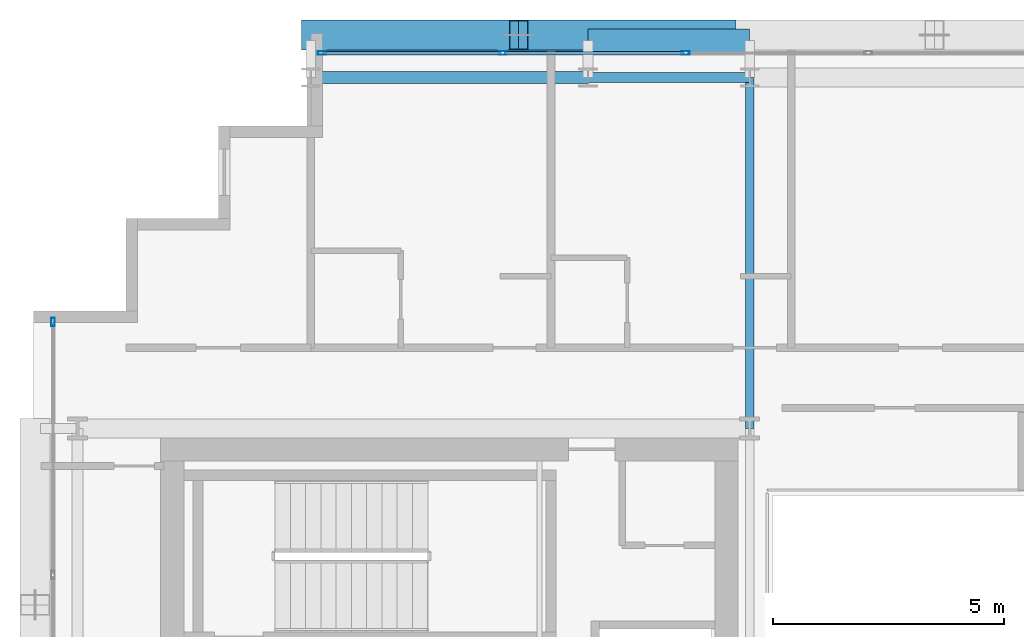
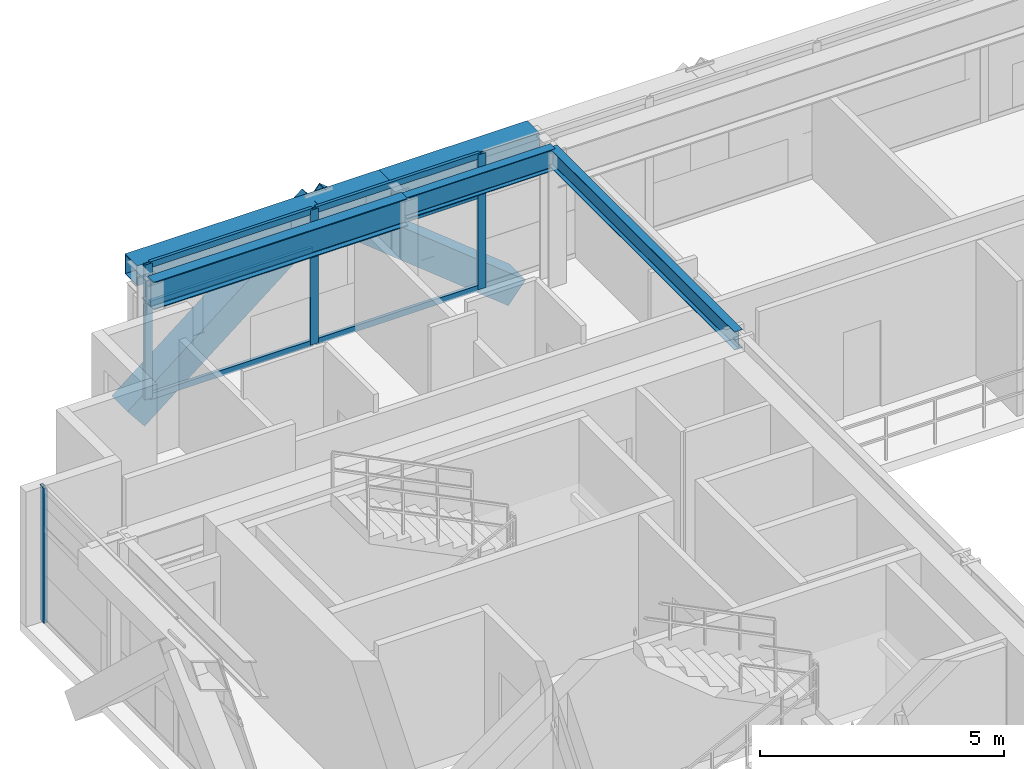
# One storey, part 16 of 31: 12 members, 5 beams, 2 elements without a shape of their own.
"""IFC4 building model written with IfcOpenShell, lengths in metres."""

from ifc_helpers import new_model, si_unit, direction, frame, origin, origin_2d, place, context, subcontext, project, spatial, hollow_rectangle, i_section, extrude, source, transform, mapped, material, layer, layer_set, material_profile, profile_set, type_object, element, aggregate, save


model = new_model("IFC4")

# Units and contexts
model_context = context("Model", 3, precision=1e-05, world=origin(), true_north=direction((0.0, 1.0)))
body_context = subcontext(model_context, "Body", "Model", "MODEL_VIEW")
ifc_project = project(units=[si_unit("LENGTHUNIT", "METRE"), si_unit("AREAUNIT", "SQUARE_METRE"), si_unit("VOLUMEUNIT", "CUBIC_METRE"), si_unit("PLANEANGLEUNIT", "RADIAN"), si_unit("MASSUNIT", "GRAM", prefix="KILO")], contexts=[model_context])

# Site, building, storey
site_placement = place(None, origin())
site = spatial("IfcSite", under=ifc_project, at=site_placement, CompositionType="ELEMENT")
building_placement = place(site_placement, origin())
building = spatial("IfcBuilding", under=site, at=building_placement, Name="Ocotamira Hotel", CompositionType="ELEMENT")
storey_placement = place(building_placement, frame((0.0, 0.0, 188.39990234375)))
storey = spatial("IfcBuildingStorey", under=building, at=storey_placement, Name="L47", CompositionType="ELEMENT", Elevation=188.39990234375)

# Beams
ifc_material_1 = material(Name="Steel ASTM A992 Grade 50", Category="steel")
ifc_material_profile_1 = material_profile(ifc_material_1, i_section(OverallWidth=0.256103515625, OverallDepth=0.693115234375, WebThickness=0.014404296875, FlangeThickness=0.023681640625, FilletRadius=0.01611328125, at=origin_2d()), Name="W27X114")
ifc_profile_set_1 = profile_set([ifc_material_profile_1], Name="Steel ASTM A992 Grade 50")
beam_type_1 = type_object("IfcBeamType", Name="BM-PRIM-W27X114", PredefinedType="BEAM", material=ifc_profile_set_1)
shared_shape_1 = source(origin(), body_context, "Body", "SweptSolid", [
    extrude(i_section(OverallWidth=0.256103515625, OverallDepth=0.693115234375, WebThickness=0.014404296875, FlangeThickness=0.023681640625, FilletRadius=0.01611328125, at=origin_2d()), origin(), (0.0, 0.0, 1.0), 6.0),
])
beam_1_placement = place(storey_placement, frame((14.0, 45.050048828125, 3.023681640625), z_axis=(1.0, 0.0, 0.0), x_axis=(0.0, 1.0, 0.0)))
element("IfcBeam", 1, at=beam_1_placement, inside=storey, type_object=beam_type_1, Name="L47 Girder Y45.05 X14-20", PredefinedType="BEAM", context=body_context, shape_type="MappedRepresentation", body=[
    mapped(shared_shape_1, transform((0.0, 0.0, 0.0), scale=1.0)),
])
ifc_material_profile_2 = material_profile(ifc_material_1, i_section(OverallWidth=0.2099609375, OverallDepth=0.537109375, WebThickness=0.010986328125, FlangeThickness=0.017333984375, FilletRadius=0.012939453125, at=origin_2d()), Name="W21X68")
ifc_profile_set_2 = profile_set([ifc_material_profile_2], Name="Steel ASTM A992 Grade 50")
beam_type_2 = type_object("IfcBeamType", Name="BM-SEC-W21X68", PredefinedType="JOIST", material=ifc_profile_set_2)
shared_shape_2 = source(origin(), body_context, "Body", "SweptSolid", [
    extrude(i_section(OverallWidth=0.2099609375, OverallDepth=0.537109375, WebThickness=0.010986328125, FlangeThickness=0.017333984375, FilletRadius=0.012939453125, at=origin_2d()), origin(), (0.0, 0.0, 1.0), 3.5),
])
beam_2_placement = place(storey_placement, frame((20.0, 45.050048828125, 3.1015625), z_axis=(1.0, 0.0, 0.0), x_axis=(0.0, 1.0, 0.0)))
element("IfcBeam", 2, at=beam_2_placement, inside=storey, type_object=beam_type_2, Name="L47 Girder Y45.05 X20-23.5", PredefinedType="JOIST", context=body_context, shape_type="MappedRepresentation", body=[
    mapped(shared_shape_2, transform((0.0, 0.0, 0.0), scale=1.0)),
])
ifc_material_2 = material(Name="Steel ASTM A500 Grade C", Category="steel")
ifc_material_profile_3 = material_profile(ifc_material_2, hollow_rectangle(XDim=0.5, YDim=0.5, WallThickness=0.02001953125, at=origin_2d()), Name="HSS500X500X20")
ifc_profile_set_3 = profile_set([ifc_material_profile_3], Name="Steel ASTM A500 Grade C")
beam_type_3 = type_object("IfcBeamType", Name="BM-SPAN-HSS500", PredefinedType="USERDEFINED", material=ifc_profile_set_3)
shared_shape_3 = source(origin(), body_context, "Body", "SweptSolid", [
    extrude(hollow_rectangle(XDim=0.5, YDim=0.5, WallThickness=0.02001953125, at=origin_2d()), origin(), (0.0, 0.0, 1.0), 6.0),
])
beam_3_placement = place(storey_placement, frame((14.0, 45.85009765625, 3.1201171875), z_axis=(1.0, 0.0, 0.0), x_axis=(0.0, 1.0, 0.0)))
element("IfcBeam", 3, at=beam_3_placement, inside=storey, type_object=beam_type_3, Name="L47 Edge Spandrel N X14-20", ObjectType="SPANDREL", PredefinedType="USERDEFINED", context=body_context, shape_type="MappedRepresentation", body=[
    mapped(shared_shape_3, transform((0.0, 0.0, 0.0), scale=1.0)),
])
shared_shape_4 = source(origin(), body_context, "Body", "SweptSolid", [
    extrude(hollow_rectangle(XDim=0.5, YDim=0.5, WallThickness=0.02001953125, at=origin_2d()), origin(), (0.0, 0.0, 1.0), 3.5),
])
beam_4_placement = place(storey_placement, frame((20.0, 45.85009765625, 3.1201171875), z_axis=(1.0, 0.0, 0.0), x_axis=(0.0, 1.0, 0.0)))
element("IfcBeam", 4, at=beam_4_placement, inside=storey, type_object=beam_type_3, Name="L47 Edge Spandrel N X20-23.5", ObjectType="SPANDREL", PredefinedType="USERDEFINED", context=body_context, shape_type="MappedRepresentation", body=[
    mapped(shared_shape_4, transform((0.0, 0.0, 0.0), scale=1.0)),
])
ifc_material_profile_4 = material_profile(ifc_material_1, i_section(OverallWidth=0.18994140625, OverallDepth=0.45703125, WebThickness=0.009033203125, FlangeThickness=0.014404296875, FilletRadius=0.010009765625, at=origin_2d()), Name="W18X50")
ifc_profile_set_4 = profile_set([ifc_material_profile_4], Name="Steel ASTM A992 Grade 50")
beam_type_4 = type_object("IfcBeamType", Name="BM-SEC-W18X50", PredefinedType="JOIST", material=ifc_profile_set_4)
shared_shape_5 = source(origin(), body_context, "Body", "SweptSolid", [
    extrude(i_section(OverallWidth=0.18994140625, OverallDepth=0.45703125, WebThickness=0.009033203125, FlangeThickness=0.014404296875, FilletRadius=0.010009765625, at=origin_2d()), origin(), (0.0, 0.0, 1.0), 7.60009765625),
])
beam_5_placement = place(storey_placement, frame((23.5, 37.449951171875, 3.1416015625), z_axis=(0.0, 1.0, 0.0), x_axis=(-1.0, 0.0, 0.0)))
element("IfcBeam", 5, at=beam_5_placement, inside=storey, type_object=beam_type_4, Name="L47 Beam X23.5 Y37.45-45.05", PredefinedType="JOIST", context=body_context, shape_type="MappedRepresentation", body=[
    mapped(shared_shape_5, transform((0.0, 0.0, 0.0), scale=1.0)),
])

# Members
ifc_material_3 = material(Name="Pale-metal coated steel ASTM A913 Grade 65", Category="steel")
ifc_material_profile_5 = material_profile(ifc_material_3, hollow_rectangle(XDim=0.64990234375, YDim=0.64990234375, WallThickness=0.02197265625, at=origin_2d()), Name="BOX650X650X22")
ifc_profile_set_5 = profile_set([ifc_material_profile_5], Name="Pale-metal coated steel ASTM A913 Grade 65")
member_type_1 = type_object("IfcMemberType", Name="MEM-EXO-BOX650", PredefinedType="BRACE", material=ifc_profile_set_5)
shared_shape_6 = source(origin(), body_context, "Body", "SweptSolid", [
    extrude(hollow_rectangle(XDim=0.64990234375, YDim=0.64990234375, WallThickness=0.02197265625, at=origin_2d()), origin(), (0.0, 0.0, 1.0), 5.762939453125),
])
for number, where, z_axis, x_axis, name in (
    (6, (14.0, 45.969970703125, -0.47998046875), (0.780860543151, 0.0, 0.624705380279), (0.0, 1.0, 0.0), "L47 Exoskeleton Diagrid N0.1"),
    (7, (23.0, 45.969970703125, -0.47998046875), (-0.780860543151, 0.0, 0.624705380279), (0.0, -1.0, 0.0), "L47 Exoskeleton Diagrid N0.2"),
):
    element("IfcMember", number, at=place(storey_placement, frame(where, z_axis=z_axis, x_axis=x_axis)), inside=storey, type_object=member_type_1, Name=name, PredefinedType="BRACE", context=body_context, shape_type="MappedRepresentation", body=[
        mapped(shared_shape_6, transform((0.0, 0.0, 0.0), scale=1.0)),
    ])

# Curtain wall, members
ifc_material_4 = material(Name="Anodised pale-metal aluminium and solar glass", Category="aluminium")
ifc_layer = layer(ifc_material_4, 0.199951171875)
ifc_layer_set = layer_set([ifc_layer], Name="Anodised pale-metal aluminium and solar glass")
curtain_wall_type = type_object("IfcCurtainWallType", Name="CW-SYS4-Z3", PredefinedType="NOTDEFINED", material=ifc_layer_set)
curtain_wall_1_placement = place(storey_placement, origin())
curtain_wall_1 = element("IfcCurtainWall", 8, at=curtain_wall_1_placement, inside=storey, type_object=curtain_wall_type, Name="L47 Curtain Wall CW-4 CW-L47-N", PredefinedType="NOTDEFINED")
ifc_material_5 = material(Name="Anodised pale-metal aluminium 6063-T6", Category="aluminium")
ifc_material_profile_6 = material_profile(ifc_material_5, hollow_rectangle(XDim=0.074951171875, YDim=0.14990234375, WallThickness=0.006103515625, at=origin_2d()), Name="HSS150X75X6")
ifc_profile_set_6 = profile_set([ifc_material_profile_6], Name="Anodised pale-metal aluminium 6063-T6")
member_type_2 = type_object("IfcMemberType", Name="CWT-150X75", PredefinedType="USERDEFINED", material=ifc_profile_set_6)
shared_shape_7 = source(origin(), body_context, "Body", "SweptSolid", [
    extrude(hollow_rectangle(XDim=0.074951171875, YDim=0.14990234375, WallThickness=0.006103515625, at=origin_2d()), origin(), (0.0, 0.0, 1.0), 3.83544921875),
])
member_1_placement = place(storey_placement, frame((14.280029296875, 45.580078125, 0.03759765625), z_axis=(1.0, 0.0, 0.0), x_axis=(0.0, 1.0, 0.0)))
member_1 = element("IfcMember", 9, at=member_1_placement, type_object=member_type_2, Name="CW-4 transom 1.1", ObjectType="TRANSOM", PredefinedType="USERDEFINED", context=body_context, shape_type="MappedRepresentation", body=[
    mapped(shared_shape_7, transform((0.0, 0.0, 0.0), scale=1.0)),
])
member_2_placement = place(storey_placement, frame((14.280029296875, 45.580078125, 2.35009765625), z_axis=(1.0, 0.0, 0.0), x_axis=(0.0, 1.0, 0.0)))
member_2 = element("IfcMember", 10, at=member_2_placement, type_object=member_type_2, Name="CW-4 transom 1.2", ObjectType="TRANSOM", PredefinedType="USERDEFINED", context=body_context, shape_type="MappedRepresentation", body=[
    mapped(shared_shape_7, transform((0.0, 0.0, 0.0), scale=1.0)),
])
member_3_placement = place(storey_placement, frame((14.280029296875, 45.580078125, 3.33251953125), z_axis=(1.0, 0.0, 0.0), x_axis=(0.0, 1.0, 0.0)))
member_3 = element("IfcMember", 11, at=member_3_placement, type_object=member_type_2, Name="CW-4 transom 1.3", ObjectType="TRANSOM", PredefinedType="USERDEFINED", context=body_context, shape_type="MappedRepresentation", body=[
    mapped(shared_shape_7, transform((0.0, 0.0, 0.0), scale=1.0)),
])
shared_shape_8 = source(origin(), body_context, "Body", "SweptSolid", [
    extrude(hollow_rectangle(XDim=0.074951171875, YDim=0.14990234375, WallThickness=0.006103515625, at=origin_2d()), origin(), (0.0, 0.0, 1.0), 3.87548828125),
])
member_4_placement = place(storey_placement, frame((18.195556640625, 45.580078125, 0.03759765625), z_axis=(1.0, 0.0, 0.0), x_axis=(0.0, 1.0, 0.0)))
member_4 = element("IfcMember", 12, at=member_4_placement, type_object=member_type_2, Name="CW-4 transom 2.1", ObjectType="TRANSOM", PredefinedType="USERDEFINED", context=body_context, shape_type="MappedRepresentation", body=[
    mapped(shared_shape_8, transform((0.0, 0.0, 0.0), scale=1.0)),
])
member_5_placement = place(storey_placement, frame((18.195556640625, 45.580078125, 2.35009765625), z_axis=(1.0, 0.0, 0.0), x_axis=(0.0, 1.0, 0.0)))
member_5 = element("IfcMember", 13, at=member_5_placement, type_object=member_type_2, Name="CW-4 transom 2.2", ObjectType="TRANSOM", PredefinedType="USERDEFINED", context=body_context, shape_type="MappedRepresentation", body=[
    mapped(shared_shape_8, transform((0.0, 0.0, 0.0), scale=1.0)),
])
member_6_placement = place(storey_placement, frame((18.195556640625, 45.580078125, 3.33251953125), z_axis=(1.0, 0.0, 0.0), x_axis=(0.0, 1.0, 0.0)))
member_6 = element("IfcMember", 14, at=member_6_placement, type_object=member_type_2, Name="CW-4 transom 2.3", ObjectType="TRANSOM", PredefinedType="USERDEFINED", context=body_context, shape_type="MappedRepresentation", body=[
    mapped(shared_shape_8, transform((0.0, 0.0, 0.0), scale=1.0)),
])
ifc_material_profile_7 = material_profile(ifc_material_5, hollow_rectangle(XDim=0.080078125, YDim=0.179931640625, WallThickness=0.006103515625, at=origin_2d()), Name="HSS180X80X6")
ifc_profile_set_7 = profile_set([ifc_material_profile_7], Name="Anodised pale-metal aluminium 6063-T6")
member_type_3 = type_object("IfcMemberType", Name="CWM-180X75", PredefinedType="MULLION", material=ifc_profile_set_7)
shared_shape_9 = source(origin(), body_context, "Body", "SweptSolid", [
    extrude(hollow_rectangle(XDim=0.080078125, YDim=0.179931640625, WallThickness=0.006103515625, at=origin_2d()), origin(), (0.0, 0.0, 1.0), 3.3701171875),
])
member_7_placement = place(storey_placement, frame((14.239990234375, 45.580078125, 0.0), z_axis=(0.0, 0.0, 1.0), x_axis=(0.0, 1.0, 0.0)))
member_7 = element("IfcMember", 15, at=member_7_placement, type_object=member_type_3, Name="CW-4 mullion 1", PredefinedType="MULLION", context=body_context, shape_type="MappedRepresentation", body=[
    mapped(shared_shape_9, transform((0.0, 0.0, 0.0), scale=1.0)),
])
member_8_placement = place(storey_placement, frame((18.155517578125, 45.580078125, 0.0), z_axis=(0.0, 0.0, 1.0), x_axis=(0.0, 1.0, 0.0)))
member_8 = element("IfcMember", 16, at=member_8_placement, type_object=member_type_3, Name="CW-4 mullion 2", PredefinedType="MULLION", context=body_context, shape_type="MappedRepresentation", body=[
    mapped(shared_shape_9, transform((0.0, 0.0, 0.0), scale=1.0)),
])
member_9_placement = place(storey_placement, frame((22.111083984375, 45.580078125, 0.0), z_axis=(0.0, 0.0, 1.0), x_axis=(0.0, 1.0, 0.0)))
member_9 = element("IfcMember", 17, at=member_9_placement, type_object=member_type_3, Name="CW-4 mullion 3", PredefinedType="MULLION", context=body_context, shape_type="MappedRepresentation", body=[
    mapped(shared_shape_9, transform((0.0, 0.0, 0.0), scale=1.0)),
])
aggregate(curtain_wall_1, [member_7, member_8, member_9, member_1, member_2, member_3, member_4, member_5, member_6])

# Curtain wall, member
curtain_wall_2_placement = place(storey_placement, origin())
curtain_wall_2 = element("IfcCurtainWall", 18, at=curtain_wall_2_placement, inside=storey, type_object=curtain_wall_type, Name="L47 Curtain Wall CW-4 CW-L47-W", PredefinedType="NOTDEFINED")
member_10_placement = place(storey_placement, frame((8.419921875, 39.760009765625, 0.0), z_axis=(0.0, 0.0, 1.0), x_axis=(-1.0, 0.0, 0.0)))
member_10 = element("IfcMember", 19, at=member_10_placement, type_object=member_type_3, Name="CW-4 mullion 6", PredefinedType="MULLION", context=body_context, shape_type="MappedRepresentation", body=[
    mapped(shared_shape_9, transform((0.0, 0.0, 0.0), scale=1.0)),
])
aggregate(curtain_wall_2, [member_10])

save(model, "model.ifc")
